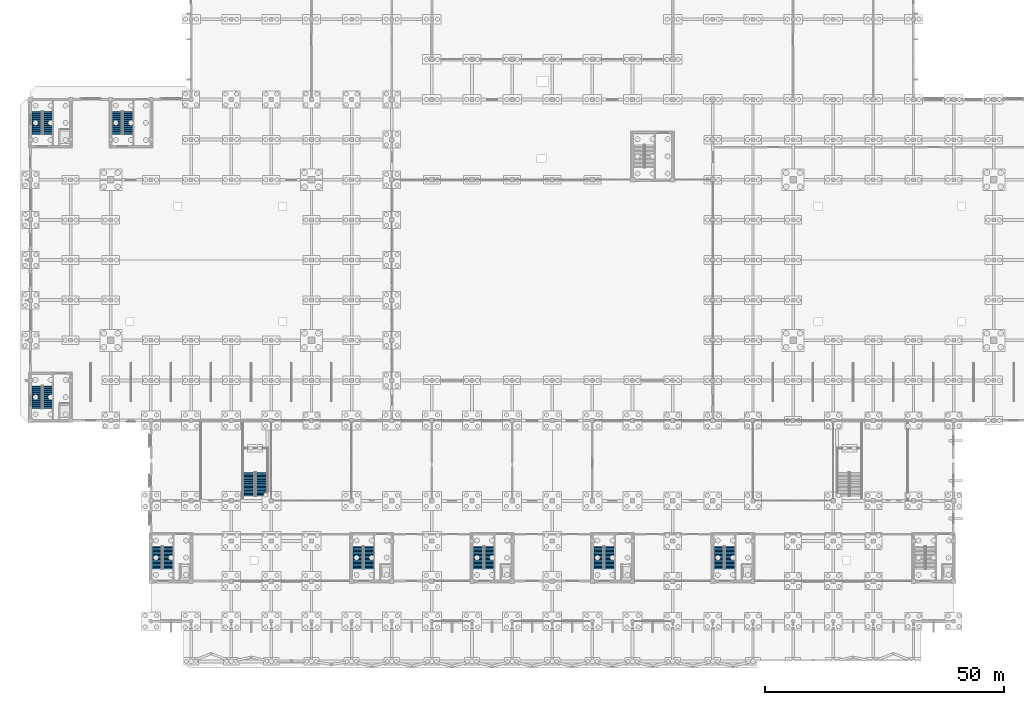
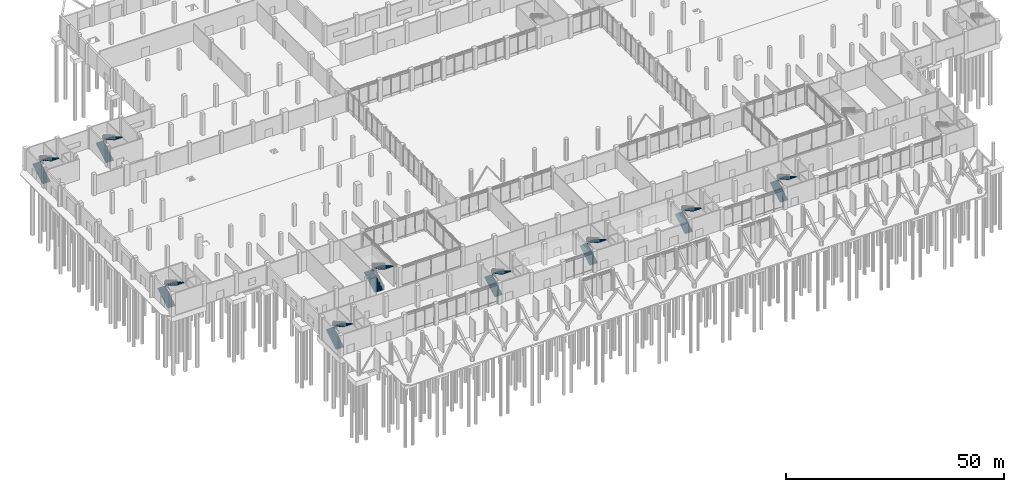
# One storey, part 63 of 72: 18 stair flights, 9 elements without a shape of their own.
"""IFC4 building model written with IfcOpenShell, lengths in metres."""

from ifc_helpers import new_model, si_unit, direction, frame, origin, place, context, subcontext, project, spatial, polyline, outline, extrude, material, type_object, element, aggregate, save


model = new_model("IFC4")

# Units and contexts
model_context = context("Model", 3, precision=1e-05, world=origin(), true_north=direction((0.0, 1.0)))
body_context = subcontext(model_context, "Body", "Model", "MODEL_VIEW")
ifc_project = project(units=[si_unit("LENGTHUNIT", "METRE"), si_unit("AREAUNIT", "SQUARE_METRE"), si_unit("VOLUMEUNIT", "CUBIC_METRE"), si_unit("PLANEANGLEUNIT", "RADIAN"), si_unit("MASSUNIT", "GRAM", prefix="KILO")], contexts=[model_context])

# Site, building, storey
site_placement = place(None, origin())
site = spatial("IfcSite", under=ifc_project, at=site_placement, CompositionType="ELEMENT")
building_placement = place(site_placement, origin())
building = spatial("IfcBuilding", under=site, at=building_placement, Name="Qawsi Khor Wholesale Market", CompositionType="ELEMENT")
storey_placement = place(building_placement, origin())
storey = spatial("IfcBuildingStorey", under=building, at=storey_placement, Name="L00", CompositionType="ELEMENT", Elevation=0.0)

# Stair, stair flights
ifc_material = material(Name="Concrete C40/50", Category="concrete")
stair_type_1 = type_object("IfcStairType", Name="Atrium Feature Stair 6000 Rise", PredefinedType="HALF_TURN_STAIR", material=ifc_material)
stair_1_placement = place(storey_placement, origin())
stair_1 = element("IfcStair", 1, at=stair_1_placement, inside=storey, type_object=stair_type_1, Name="Atrium feature stair W L00", PredefinedType="HALF_TURN_STAIR")
stair_flight_type_1 = type_object("IfcStairFlightType", Name="Atrium Feature Flight 18R x 166.7 / 290G (2300w)", PredefinedType="STRAIGHT", material=ifc_material)
stair_flight_1_placement = place(storey_placement, frame((45.699951171875, 26.199951171875, 0.0), z_axis=(0.0, 0.0, 1.0), x_axis=(0.0, 1.0, 0.0)))
stair_flight_1 = element("IfcStairFlight", 2, at=stair_flight_1_placement, type_object=stair_flight_type_1, Name="ST-AW-0 flight 1", NumberOfRisers=18, NumberOfTreads=17, PredefinedType="STRAIGHT", RiserHeight=0.16667, TreadLength=0.29, context=body_context, shape_type="SweptSolid", body=[
    extrude(outline(polyline([(0.0, 0.0), (0.0, 0.166748046875), (0.2900390625, 0.166748046875), (0.2900390625, 0.333251953125), (0.580078125, 0.333251953125), (0.580078125, 0.5), (0.8701171875, 0.5), (0.8701171875, 0.666748046875), (1.159912109375, 0.666748046875), (1.159912109375, 0.833251953125), (1.449951171875, 0.833251953125), (1.449951171875, 1.0), (1.739990234375, 1.0), (1.739990234375, 1.166748046875), (2.030029296875, 1.166748046875), (2.030029296875, 1.333251953125), (2.320068359375, 1.333251953125), (2.320068359375, 1.5), (2.610107421875, 1.5), (2.610107421875, 1.666748046875), (2.89990234375, 1.666748046875), (2.89990234375, 1.833251953125), (3.18994140625, 1.833251953125), (3.18994140625, 2.0), (3.47998046875, 2.0), (3.47998046875, 2.166748046875), (3.77001953125, 2.166748046875), (3.77001953125, 2.33349609375), (4.06005859375, 2.33349609375), (4.06005859375, 2.5), (4.35009765625, 2.5), (4.35009765625, 2.666748046875), (4.639892578125, 2.666748046875), (4.639892578125, 2.83349609375), (4.929931640625, 2.83349609375), (4.929931640625, 3.0), (4.929931640625, 2.602783203125), (0.4013671875, 0.0), (0.0, 0.0)])), frame((0.0, 1.14990234375, 0.0), z_axis=(0.0, -1.0, 0.0), x_axis=(1.0, 0.0, 0.0)), (0.0, 0.0, 1.0), 2.300048828125),
])
stair_flight_2_placement = place(storey_placement, frame((48.300048828125, 31.1298828125, 3.0), z_axis=(0.0, 0.0, 1.0), x_axis=(0.0, -1.0, 0.0)))
stair_flight_2 = element("IfcStairFlight", 3, at=stair_flight_2_placement, type_object=stair_flight_type_1, Name="ST-AW-0 flight 2", NumberOfRisers=18, NumberOfTreads=17, PredefinedType="STRAIGHT", RiserHeight=0.16667, TreadLength=0.29, context=body_context, shape_type="SweptSolid", body=[
    extrude(outline(polyline([(0.0, 0.0), (0.0, 0.166748046875), (0.2900390625, 0.166748046875), (0.2900390625, 0.333251953125), (0.580078125, 0.333251953125), (0.580078125, 0.5), (0.8701171875, 0.5), (0.8701171875, 0.666748046875), (1.159912109375, 0.666748046875), (1.159912109375, 0.833251953125), (1.449951171875, 0.833251953125), (1.449951171875, 1.0), (1.739990234375, 1.0), (1.739990234375, 1.166748046875), (2.030029296875, 1.166748046875), (2.030029296875, 1.333251953125), (2.320068359375, 1.333251953125), (2.320068359375, 1.5), (2.610107421875, 1.5), (2.610107421875, 1.666748046875), (2.89990234375, 1.666748046875), (2.89990234375, 1.833251953125), (3.18994140625, 1.833251953125), (3.18994140625, 2.0), (3.47998046875, 2.0), (3.47998046875, 2.166748046875), (3.77001953125, 2.166748046875), (3.77001953125, 2.33349609375), (4.06005859375, 2.33349609375), (4.06005859375, 2.5), (4.35009765625, 2.5), (4.35009765625, 2.666748046875), (4.639892578125, 2.666748046875), (4.639892578125, 2.83349609375), (4.929931640625, 2.83349609375), (4.929931640625, 3.0), (4.929931640625, 2.602783203125), (0.4013671875, 0.0), (0.0, 0.0)])), frame((0.0, 1.14990234375, 0.0), z_axis=(0.0, -1.0, 0.0), x_axis=(1.0, 0.0, 0.0)), (0.0, 0.0, 1.0), 2.300048828125),
])
aggregate(stair_1, [stair_flight_1, stair_flight_2])

stair_type_2 = type_object("IfcStairType", Name="Exit Stair L00-L01 6000 Rise", PredefinedType="HALF_TURN_STAIR", material=ifc_material)
stair_2_placement = place(storey_placement, origin())
stair_2 = element("IfcStair", 4, at=stair_2_placement, inside=storey, type_object=stair_type_2, Name="Stair ST-01 L00", PredefinedType="HALF_TURN_STAIR")
stair_flight_type_2 = type_object("IfcStairFlightType", Name="Stair Flight 18R x 166.7 / 280G (2060w)", PredefinedType="STRAIGHT", material=ifc_material)
stair_flight_3_placement = place(storey_placement, frame((26.550048828125, 10.919921875, 0.0), z_axis=(0.0, 0.0, 1.0), x_axis=(0.0, 1.0, 0.0)))
stair_flight_3 = element("IfcStairFlight", 5, at=stair_flight_3_placement, type_object=stair_flight_type_2, Name="ST-01-L00 flight 1", NumberOfRisers=18, NumberOfTreads=17, PredefinedType="STRAIGHT", RiserHeight=0.16667, TreadLength=0.28, context=body_context, shape_type="SweptSolid", body=[
    extrude(outline(polyline([(0.0, 0.0), (0.0, 0.166748046875), (0.280029296875, 0.166748046875), (0.280029296875, 0.333251953125), (0.56005859375, 0.333251953125), (0.56005859375, 0.5), (0.840087890625, 0.5), (0.840087890625, 0.666748046875), (1.1201171875, 0.666748046875), (1.1201171875, 0.833251953125), (1.39990234375, 0.833251953125), (1.39990234375, 1.0), (1.679931640625, 1.0), (1.679931640625, 1.166748046875), (1.9599609375, 1.166748046875), (1.9599609375, 1.333251953125), (2.239990234375, 1.333251953125), (2.239990234375, 1.5), (2.52001953125, 1.5), (2.52001953125, 1.666748046875), (2.800048828125, 1.666748046875), (2.800048828125, 1.833251953125), (3.080078125, 1.833251953125), (3.080078125, 2.0), (3.360107421875, 2.0), (3.360107421875, 2.166748046875), (3.639892578125, 2.166748046875), (3.639892578125, 2.33349609375), (3.919921875, 2.33349609375), (3.919921875, 2.5), (4.199951171875, 2.5), (4.199951171875, 2.666748046875), (4.47998046875, 2.666748046875), (4.47998046875, 2.83349609375), (4.760009765625, 2.83349609375), (4.760009765625, 3.0), (4.760009765625, 2.6240234375), (0.351806640625, 0.0), (0.0, 0.0)])), frame((0.0, 1.030029296875, 0.0), z_axis=(0.0, -1.0, 0.0), x_axis=(1.0, 0.0, 0.0)), (0.0, 0.0, 1.0), 2.06005859375),
])
stair_flight_4_placement = place(storey_placement, frame((28.7900390625, 15.679931640625, 3.0), z_axis=(0.0, 0.0, 1.0), x_axis=(0.0, -1.0, 0.0)))
stair_flight_4 = element("IfcStairFlight", 6, at=stair_flight_4_placement, type_object=stair_flight_type_2, Name="ST-01-L00 flight 2", NumberOfRisers=18, NumberOfTreads=17, PredefinedType="STRAIGHT", RiserHeight=0.16667, TreadLength=0.28, context=body_context, shape_type="SweptSolid", body=[
    extrude(outline(polyline([(0.0, 0.0), (0.0, 0.166748046875), (0.280029296875, 0.166748046875), (0.280029296875, 0.333251953125), (0.56005859375, 0.333251953125), (0.56005859375, 0.5), (0.840087890625, 0.5), (0.840087890625, 0.666748046875), (1.1201171875, 0.666748046875), (1.1201171875, 0.833251953125), (1.39990234375, 0.833251953125), (1.39990234375, 1.0), (1.679931640625, 1.0), (1.679931640625, 1.166748046875), (1.9599609375, 1.166748046875), (1.9599609375, 1.333251953125), (2.239990234375, 1.333251953125), (2.239990234375, 1.5), (2.52001953125, 1.5), (2.52001953125, 1.666748046875), (2.800048828125, 1.666748046875), (2.800048828125, 1.833251953125), (3.080078125, 1.833251953125), (3.080078125, 2.0), (3.360107421875, 2.0), (3.360107421875, 2.166748046875), (3.639892578125, 2.166748046875), (3.639892578125, 2.33349609375), (3.919921875, 2.33349609375), (3.919921875, 2.5), (4.199951171875, 2.5), (4.199951171875, 2.666748046875), (4.47998046875, 2.666748046875), (4.47998046875, 2.83349609375), (4.760009765625, 2.83349609375), (4.760009765625, 3.0), (4.760009765625, 2.6240234375), (0.351806640625, 0.0), (0.0, 0.0)])), frame((0.0, 1.030029296875, 0.0), z_axis=(0.0, -1.0, 0.0), x_axis=(1.0, 0.0, 0.0)), (0.0, 0.0, 1.0), 2.06005859375),
])
aggregate(stair_2, [stair_flight_3, stair_flight_4])

stair_3_placement = place(storey_placement, origin())
stair_3 = element("IfcStair", 7, at=stair_3_placement, inside=storey, type_object=stair_type_2, Name="Stair ST-02 L00", PredefinedType="HALF_TURN_STAIR")
stair_flight_5_placement = place(storey_placement, frame((68.550048828125, 10.919921875, 0.0), z_axis=(0.0, 0.0, 1.0), x_axis=(0.0, 1.0, 0.0)))
stair_flight_5 = element("IfcStairFlight", 8, at=stair_flight_5_placement, type_object=stair_flight_type_2, Name="ST-02-L00 flight 1", NumberOfRisers=18, NumberOfTreads=17, PredefinedType="STRAIGHT", RiserHeight=0.16667, TreadLength=0.28, context=body_context, shape_type="SweptSolid", body=[
    extrude(outline(polyline([(0.0, 0.0), (0.0, 0.166748046875), (0.280029296875, 0.166748046875), (0.280029296875, 0.333251953125), (0.56005859375, 0.333251953125), (0.56005859375, 0.5), (0.840087890625, 0.5), (0.840087890625, 0.666748046875), (1.1201171875, 0.666748046875), (1.1201171875, 0.833251953125), (1.39990234375, 0.833251953125), (1.39990234375, 1.0), (1.679931640625, 1.0), (1.679931640625, 1.166748046875), (1.9599609375, 1.166748046875), (1.9599609375, 1.333251953125), (2.239990234375, 1.333251953125), (2.239990234375, 1.5), (2.52001953125, 1.5), (2.52001953125, 1.666748046875), (2.800048828125, 1.666748046875), (2.800048828125, 1.833251953125), (3.080078125, 1.833251953125), (3.080078125, 2.0), (3.360107421875, 2.0), (3.360107421875, 2.166748046875), (3.639892578125, 2.166748046875), (3.639892578125, 2.33349609375), (3.919921875, 2.33349609375), (3.919921875, 2.5), (4.199951171875, 2.5), (4.199951171875, 2.666748046875), (4.47998046875, 2.666748046875), (4.47998046875, 2.83349609375), (4.760009765625, 2.83349609375), (4.760009765625, 3.0), (4.760009765625, 2.6240234375), (0.351806640625, 0.0), (0.0, 0.0)])), frame((0.0, 1.030029296875, 0.0), z_axis=(0.0, -1.0, 0.0), x_axis=(1.0, 0.0, 0.0)), (0.0, 0.0, 1.0), 2.06005859375),
])
stair_flight_6_placement = place(storey_placement, frame((70.7900390625, 15.679931640625, 3.0), z_axis=(0.0, 0.0, 1.0), x_axis=(0.0, -1.0, 0.0)))
stair_flight_6 = element("IfcStairFlight", 9, at=stair_flight_6_placement, type_object=stair_flight_type_2, Name="ST-02-L00 flight 2", NumberOfRisers=18, NumberOfTreads=17, PredefinedType="STRAIGHT", RiserHeight=0.16667, TreadLength=0.28, context=body_context, shape_type="SweptSolid", body=[
    extrude(outline(polyline([(0.0, 0.0), (0.0, 0.166748046875), (0.280029296875, 0.166748046875), (0.280029296875, 0.333251953125), (0.56005859375, 0.333251953125), (0.56005859375, 0.5), (0.840087890625, 0.5), (0.840087890625, 0.666748046875), (1.1201171875, 0.666748046875), (1.1201171875, 0.833251953125), (1.39990234375, 0.833251953125), (1.39990234375, 1.0), (1.679931640625, 1.0), (1.679931640625, 1.166748046875), (1.9599609375, 1.166748046875), (1.9599609375, 1.333251953125), (2.239990234375, 1.333251953125), (2.239990234375, 1.5), (2.52001953125, 1.5), (2.52001953125, 1.666748046875), (2.800048828125, 1.666748046875), (2.800048828125, 1.833251953125), (3.080078125, 1.833251953125), (3.080078125, 2.0), (3.360107421875, 2.0), (3.360107421875, 2.166748046875), (3.639892578125, 2.166748046875), (3.639892578125, 2.33349609375), (3.919921875, 2.33349609375), (3.919921875, 2.5), (4.199951171875, 2.5), (4.199951171875, 2.666748046875), (4.47998046875, 2.666748046875), (4.47998046875, 2.83349609375), (4.760009765625, 2.83349609375), (4.760009765625, 3.0), (4.760009765625, 2.6240234375), (0.351806640625, 0.0), (0.0, 0.0)])), frame((0.0, 1.030029296875, 0.0), z_axis=(0.0, -1.0, 0.0), x_axis=(1.0, 0.0, 0.0)), (0.0, 0.0, 1.0), 2.06005859375),
])
aggregate(stair_3, [stair_flight_5, stair_flight_6])

stair_4_placement = place(storey_placement, origin())
stair_4 = element("IfcStair", 10, at=stair_4_placement, inside=storey, type_object=stair_type_2, Name="Stair ST-03 L00", PredefinedType="HALF_TURN_STAIR")
stair_flight_7_placement = place(storey_placement, frame((93.75, 10.919921875, 0.0), z_axis=(0.0, 0.0, 1.0), x_axis=(0.0, 1.0, 0.0)))
stair_flight_7 = element("IfcStairFlight", 11, at=stair_flight_7_placement, type_object=stair_flight_type_2, Name="ST-03-L00 flight 1", NumberOfRisers=18, NumberOfTreads=17, PredefinedType="STRAIGHT", RiserHeight=0.16667, TreadLength=0.28, context=body_context, shape_type="SweptSolid", body=[
    extrude(outline(polyline([(0.0, 0.0), (0.0, 0.166748046875), (0.280029296875, 0.166748046875), (0.280029296875, 0.333251953125), (0.56005859375, 0.333251953125), (0.56005859375, 0.5), (0.840087890625, 0.5), (0.840087890625, 0.666748046875), (1.1201171875, 0.666748046875), (1.1201171875, 0.833251953125), (1.39990234375, 0.833251953125), (1.39990234375, 1.0), (1.679931640625, 1.0), (1.679931640625, 1.166748046875), (1.9599609375, 1.166748046875), (1.9599609375, 1.333251953125), (2.239990234375, 1.333251953125), (2.239990234375, 1.5), (2.52001953125, 1.5), (2.52001953125, 1.666748046875), (2.800048828125, 1.666748046875), (2.800048828125, 1.833251953125), (3.080078125, 1.833251953125), (3.080078125, 2.0), (3.360107421875, 2.0), (3.360107421875, 2.166748046875), (3.639892578125, 2.166748046875), (3.639892578125, 2.33349609375), (3.919921875, 2.33349609375), (3.919921875, 2.5), (4.199951171875, 2.5), (4.199951171875, 2.666748046875), (4.47998046875, 2.666748046875), (4.47998046875, 2.83349609375), (4.760009765625, 2.83349609375), (4.760009765625, 3.0), (4.760009765625, 2.6240234375), (0.351806640625, 0.0), (0.0, 0.0)])), frame((0.0, 1.030029296875, 0.0), z_axis=(0.0, -1.0, 0.0), x_axis=(1.0, 0.0, 0.0)), (0.0, 0.0, 1.0), 2.06005859375),
])
stair_flight_8_placement = place(storey_placement, frame((95.989990234375, 15.679931640625, 3.0), z_axis=(0.0, 0.0, 1.0), x_axis=(0.0, -1.0, 0.0)))
stair_flight_8 = element("IfcStairFlight", 12, at=stair_flight_8_placement, type_object=stair_flight_type_2, Name="ST-03-L00 flight 2", NumberOfRisers=18, NumberOfTreads=17, PredefinedType="STRAIGHT", RiserHeight=0.16667, TreadLength=0.28, context=body_context, shape_type="SweptSolid", body=[
    extrude(outline(polyline([(0.0, 0.0), (0.0, 0.166748046875), (0.280029296875, 0.166748046875), (0.280029296875, 0.333251953125), (0.56005859375, 0.333251953125), (0.56005859375, 0.5), (0.840087890625, 0.5), (0.840087890625, 0.666748046875), (1.1201171875, 0.666748046875), (1.1201171875, 0.833251953125), (1.39990234375, 0.833251953125), (1.39990234375, 1.0), (1.679931640625, 1.0), (1.679931640625, 1.166748046875), (1.9599609375, 1.166748046875), (1.9599609375, 1.333251953125), (2.239990234375, 1.333251953125), (2.239990234375, 1.5), (2.52001953125, 1.5), (2.52001953125, 1.666748046875), (2.800048828125, 1.666748046875), (2.800048828125, 1.833251953125), (3.080078125, 1.833251953125), (3.080078125, 2.0), (3.360107421875, 2.0), (3.360107421875, 2.166748046875), (3.639892578125, 2.166748046875), (3.639892578125, 2.33349609375), (3.919921875, 2.33349609375), (3.919921875, 2.5), (4.199951171875, 2.5), (4.199951171875, 2.666748046875), (4.47998046875, 2.666748046875), (4.47998046875, 2.83349609375), (4.760009765625, 2.83349609375), (4.760009765625, 3.0), (4.760009765625, 2.6240234375), (0.351806640625, 0.0), (0.0, 0.0)])), frame((0.0, 1.030029296875, 0.0), z_axis=(0.0, -1.0, 0.0), x_axis=(1.0, 0.0, 0.0)), (0.0, 0.0, 1.0), 2.06005859375),
])
aggregate(stair_4, [stair_flight_7, stair_flight_8])

stair_5_placement = place(storey_placement, origin())
stair_5 = element("IfcStair", 13, at=stair_5_placement, inside=storey, type_object=stair_type_2, Name="Stair ST-04 L00", PredefinedType="HALF_TURN_STAIR")
stair_flight_9_placement = place(storey_placement, frame((118.949951171875, 10.919921875, 0.0), z_axis=(0.0, 0.0, 1.0), x_axis=(0.0, 1.0, 0.0)))
stair_flight_9 = element("IfcStairFlight", 14, at=stair_flight_9_placement, type_object=stair_flight_type_2, Name="ST-04-L00 flight 1", NumberOfRisers=18, NumberOfTreads=17, PredefinedType="STRAIGHT", RiserHeight=0.16667, TreadLength=0.28, context=body_context, shape_type="SweptSolid", body=[
    extrude(outline(polyline([(0.0, 0.0), (0.0, 0.166748046875), (0.280029296875, 0.166748046875), (0.280029296875, 0.333251953125), (0.56005859375, 0.333251953125), (0.56005859375, 0.5), (0.840087890625, 0.5), (0.840087890625, 0.666748046875), (1.1201171875, 0.666748046875), (1.1201171875, 0.833251953125), (1.39990234375, 0.833251953125), (1.39990234375, 1.0), (1.679931640625, 1.0), (1.679931640625, 1.166748046875), (1.9599609375, 1.166748046875), (1.9599609375, 1.333251953125), (2.239990234375, 1.333251953125), (2.239990234375, 1.5), (2.52001953125, 1.5), (2.52001953125, 1.666748046875), (2.800048828125, 1.666748046875), (2.800048828125, 1.833251953125), (3.080078125, 1.833251953125), (3.080078125, 2.0), (3.360107421875, 2.0), (3.360107421875, 2.166748046875), (3.639892578125, 2.166748046875), (3.639892578125, 2.33349609375), (3.919921875, 2.33349609375), (3.919921875, 2.5), (4.199951171875, 2.5), (4.199951171875, 2.666748046875), (4.47998046875, 2.666748046875), (4.47998046875, 2.83349609375), (4.760009765625, 2.83349609375), (4.760009765625, 3.0), (4.760009765625, 2.6240234375), (0.351806640625, 0.0), (0.0, 0.0)])), frame((0.0, 1.030029296875, 0.0), z_axis=(0.0, -1.0, 0.0), x_axis=(1.0, 0.0, 0.0)), (0.0, 0.0, 1.0), 2.06005859375),
])
stair_flight_10_placement = place(storey_placement, frame((121.18994140625, 15.679931640625, 3.0), z_axis=(0.0, 0.0, 1.0), x_axis=(0.0, -1.0, 0.0)))
stair_flight_10 = element("IfcStairFlight", 15, at=stair_flight_10_placement, type_object=stair_flight_type_2, Name="ST-04-L00 flight 2", NumberOfRisers=18, NumberOfTreads=17, PredefinedType="STRAIGHT", RiserHeight=0.16667, TreadLength=0.28, context=body_context, shape_type="SweptSolid", body=[
    extrude(outline(polyline([(0.0, 0.0), (0.0, 0.166748046875), (0.280029296875, 0.166748046875), (0.280029296875, 0.333251953125), (0.56005859375, 0.333251953125), (0.56005859375, 0.5), (0.840087890625, 0.5), (0.840087890625, 0.666748046875), (1.1201171875, 0.666748046875), (1.1201171875, 0.833251953125), (1.39990234375, 0.833251953125), (1.39990234375, 1.0), (1.679931640625, 1.0), (1.679931640625, 1.166748046875), (1.9599609375, 1.166748046875), (1.9599609375, 1.333251953125), (2.239990234375, 1.333251953125), (2.239990234375, 1.5), (2.52001953125, 1.5), (2.52001953125, 1.666748046875), (2.800048828125, 1.666748046875), (2.800048828125, 1.833251953125), (3.080078125, 1.833251953125), (3.080078125, 2.0), (3.360107421875, 2.0), (3.360107421875, 2.166748046875), (3.639892578125, 2.166748046875), (3.639892578125, 2.33349609375), (3.919921875, 2.33349609375), (3.919921875, 2.5), (4.199951171875, 2.5), (4.199951171875, 2.666748046875), (4.47998046875, 2.666748046875), (4.47998046875, 2.83349609375), (4.760009765625, 2.83349609375), (4.760009765625, 3.0), (4.760009765625, 2.6240234375), (0.351806640625, 0.0), (0.0, 0.0)])), frame((0.0, 1.030029296875, 0.0), z_axis=(0.0, -1.0, 0.0), x_axis=(1.0, 0.0, 0.0)), (0.0, 0.0, 1.0), 2.06005859375),
])
aggregate(stair_5, [stair_flight_9, stair_flight_10])

stair_6_placement = place(storey_placement, origin())
stair_6 = element("IfcStair", 16, at=stair_6_placement, inside=storey, type_object=stair_type_2, Name="Stair ST-05 L00", PredefinedType="HALF_TURN_STAIR")
stair_flight_11_placement = place(storey_placement, frame((144.14990234375, 10.919921875, 0.0), z_axis=(0.0, 0.0, 1.0), x_axis=(0.0, 1.0, 0.0)))
stair_flight_11 = element("IfcStairFlight", 17, at=stair_flight_11_placement, type_object=stair_flight_type_2, Name="ST-05-L00 flight 1", NumberOfRisers=18, NumberOfTreads=17, PredefinedType="STRAIGHT", RiserHeight=0.16667, TreadLength=0.28, context=body_context, shape_type="SweptSolid", body=[
    extrude(outline(polyline([(0.0, 0.0), (0.0, 0.166748046875), (0.280029296875, 0.166748046875), (0.280029296875, 0.333251953125), (0.56005859375, 0.333251953125), (0.56005859375, 0.5), (0.840087890625, 0.5), (0.840087890625, 0.666748046875), (1.1201171875, 0.666748046875), (1.1201171875, 0.833251953125), (1.39990234375, 0.833251953125), (1.39990234375, 1.0), (1.679931640625, 1.0), (1.679931640625, 1.166748046875), (1.9599609375, 1.166748046875), (1.9599609375, 1.333251953125), (2.239990234375, 1.333251953125), (2.239990234375, 1.5), (2.52001953125, 1.5), (2.52001953125, 1.666748046875), (2.800048828125, 1.666748046875), (2.800048828125, 1.833251953125), (3.080078125, 1.833251953125), (3.080078125, 2.0), (3.360107421875, 2.0), (3.360107421875, 2.166748046875), (3.639892578125, 2.166748046875), (3.639892578125, 2.33349609375), (3.919921875, 2.33349609375), (3.919921875, 2.5), (4.199951171875, 2.5), (4.199951171875, 2.666748046875), (4.47998046875, 2.666748046875), (4.47998046875, 2.83349609375), (4.760009765625, 2.83349609375), (4.760009765625, 3.0), (4.760009765625, 2.6240234375), (0.351806640625, 0.0), (0.0, 0.0)])), frame((0.0, 1.030029296875, 0.0), z_axis=(0.0, -1.0, 0.0), x_axis=(1.0, 0.0, 0.0)), (0.0, 0.0, 1.0), 2.06005859375),
])
stair_flight_12_placement = place(storey_placement, frame((146.389892578125, 15.679931640625, 3.0), z_axis=(0.0, 0.0, 1.0), x_axis=(0.0, -1.0, 0.0)))
stair_flight_12 = element("IfcStairFlight", 18, at=stair_flight_12_placement, type_object=stair_flight_type_2, Name="ST-05-L00 flight 2", NumberOfRisers=18, NumberOfTreads=17, PredefinedType="STRAIGHT", RiserHeight=0.16667, TreadLength=0.28, context=body_context, shape_type="SweptSolid", body=[
    extrude(outline(polyline([(0.0, 0.0), (0.0, 0.166748046875), (0.280029296875, 0.166748046875), (0.280029296875, 0.333251953125), (0.56005859375, 0.333251953125), (0.56005859375, 0.5), (0.840087890625, 0.5), (0.840087890625, 0.666748046875), (1.1201171875, 0.666748046875), (1.1201171875, 0.833251953125), (1.39990234375, 0.833251953125), (1.39990234375, 1.0), (1.679931640625, 1.0), (1.679931640625, 1.166748046875), (1.9599609375, 1.166748046875), (1.9599609375, 1.333251953125), (2.239990234375, 1.333251953125), (2.239990234375, 1.5), (2.52001953125, 1.5), (2.52001953125, 1.666748046875), (2.800048828125, 1.666748046875), (2.800048828125, 1.833251953125), (3.080078125, 1.833251953125), (3.080078125, 2.0), (3.360107421875, 2.0), (3.360107421875, 2.166748046875), (3.639892578125, 2.166748046875), (3.639892578125, 2.33349609375), (3.919921875, 2.33349609375), (3.919921875, 2.5), (4.199951171875, 2.5), (4.199951171875, 2.666748046875), (4.47998046875, 2.666748046875), (4.47998046875, 2.83349609375), (4.760009765625, 2.83349609375), (4.760009765625, 3.0), (4.760009765625, 2.6240234375), (0.351806640625, 0.0), (0.0, 0.0)])), frame((0.0, 1.030029296875, 0.0), z_axis=(0.0, -1.0, 0.0), x_axis=(1.0, 0.0, 0.0)), (0.0, 0.0, 1.0), 2.06005859375),
])
aggregate(stair_6, [stair_flight_11, stair_flight_12])

stair_7_placement = place(storey_placement, origin())
stair_7 = element("IfcStair", 19, at=stair_7_placement, inside=storey, type_object=stair_type_2, Name="Stair ST-07 L00", PredefinedType="HALF_TURN_STAIR")
stair_flight_13_placement = place(storey_placement, frame((1.35009765625, 44.52001953125, 0.0), z_axis=(0.0, 0.0, 1.0), x_axis=(0.0, 1.0, 0.0)))
stair_flight_13 = element("IfcStairFlight", 20, at=stair_flight_13_placement, type_object=stair_flight_type_2, Name="ST-07-L00 flight 1", NumberOfRisers=18, NumberOfTreads=17, PredefinedType="STRAIGHT", RiserHeight=0.16667, TreadLength=0.28, context=body_context, shape_type="SweptSolid", body=[
    extrude(outline(polyline([(0.0, 0.0), (0.0, 0.166748046875), (0.280029296875, 0.166748046875), (0.280029296875, 0.333251953125), (0.56005859375, 0.333251953125), (0.56005859375, 0.5), (0.840087890625, 0.5), (0.840087890625, 0.666748046875), (1.1201171875, 0.666748046875), (1.1201171875, 0.833251953125), (1.39990234375, 0.833251953125), (1.39990234375, 1.0), (1.679931640625, 1.0), (1.679931640625, 1.166748046875), (1.9599609375, 1.166748046875), (1.9599609375, 1.333251953125), (2.239990234375, 1.333251953125), (2.239990234375, 1.5), (2.52001953125, 1.5), (2.52001953125, 1.666748046875), (2.800048828125, 1.666748046875), (2.800048828125, 1.833251953125), (3.080078125, 1.833251953125), (3.080078125, 2.0), (3.360107421875, 2.0), (3.360107421875, 2.166748046875), (3.639892578125, 2.166748046875), (3.639892578125, 2.33349609375), (3.919921875, 2.33349609375), (3.919921875, 2.5), (4.199951171875, 2.5), (4.199951171875, 2.666748046875), (4.47998046875, 2.666748046875), (4.47998046875, 2.83349609375), (4.760009765625, 2.83349609375), (4.760009765625, 3.0), (4.760009765625, 2.6240234375), (0.351806640625, 0.0), (0.0, 0.0)])), frame((0.0, 1.030029296875, 0.0), z_axis=(0.0, -1.0, 0.0), x_axis=(1.0, 0.0, 0.0)), (0.0, 0.0, 1.0), 2.06005859375),
])
stair_flight_14_placement = place(storey_placement, frame((3.590087890625, 49.280029296875, 3.0), z_axis=(0.0, 0.0, 1.0), x_axis=(0.0, -1.0, 0.0)))
stair_flight_14 = element("IfcStairFlight", 21, at=stair_flight_14_placement, type_object=stair_flight_type_2, Name="ST-07-L00 flight 2", NumberOfRisers=18, NumberOfTreads=17, PredefinedType="STRAIGHT", RiserHeight=0.16667, TreadLength=0.28, context=body_context, shape_type="SweptSolid", body=[
    extrude(outline(polyline([(0.0, 0.0), (0.0, 0.166748046875), (0.280029296875, 0.166748046875), (0.280029296875, 0.333251953125), (0.56005859375, 0.333251953125), (0.56005859375, 0.5), (0.840087890625, 0.5), (0.840087890625, 0.666748046875), (1.1201171875, 0.666748046875), (1.1201171875, 0.833251953125), (1.39990234375, 0.833251953125), (1.39990234375, 1.0), (1.679931640625, 1.0), (1.679931640625, 1.166748046875), (1.9599609375, 1.166748046875), (1.9599609375, 1.333251953125), (2.239990234375, 1.333251953125), (2.239990234375, 1.5), (2.52001953125, 1.5), (2.52001953125, 1.666748046875), (2.800048828125, 1.666748046875), (2.800048828125, 1.833251953125), (3.080078125, 1.833251953125), (3.080078125, 2.0), (3.360107421875, 2.0), (3.360107421875, 2.166748046875), (3.639892578125, 2.166748046875), (3.639892578125, 2.33349609375), (3.919921875, 2.33349609375), (3.919921875, 2.5), (4.199951171875, 2.5), (4.199951171875, 2.666748046875), (4.47998046875, 2.666748046875), (4.47998046875, 2.83349609375), (4.760009765625, 2.83349609375), (4.760009765625, 3.0), (4.760009765625, 2.6240234375), (0.351806640625, 0.0), (0.0, 0.0)])), frame((0.0, 1.030029296875, 0.0), z_axis=(0.0, -1.0, 0.0), x_axis=(1.0, 0.0, 0.0)), (0.0, 0.0, 1.0), 2.06005859375),
])
aggregate(stair_7, [stair_flight_13, stair_flight_14])

stair_8_placement = place(storey_placement, origin())
stair_8 = element("IfcStair", 22, at=stair_8_placement, inside=storey, type_object=stair_type_2, Name="Stair ST-08 L00", PredefinedType="HALF_TURN_STAIR")
stair_flight_15_placement = place(storey_placement, frame((1.35009765625, 101.919921875, 0.0), z_axis=(0.0, 0.0, 1.0), x_axis=(0.0, 1.0, 0.0)))
stair_flight_15 = element("IfcStairFlight", 23, at=stair_flight_15_placement, type_object=stair_flight_type_2, Name="ST-08-L00 flight 1", NumberOfRisers=18, NumberOfTreads=17, PredefinedType="STRAIGHT", RiserHeight=0.16667, TreadLength=0.28, context=body_context, shape_type="SweptSolid", body=[
    extrude(outline(polyline([(0.0, 0.0), (0.0, 0.166748046875), (0.280029296875, 0.166748046875), (0.280029296875, 0.333251953125), (0.56005859375, 0.333251953125), (0.56005859375, 0.5), (0.840087890625, 0.5), (0.840087890625, 0.666748046875), (1.1201171875, 0.666748046875), (1.1201171875, 0.833251953125), (1.39990234375, 0.833251953125), (1.39990234375, 1.0), (1.679931640625, 1.0), (1.679931640625, 1.166748046875), (1.9599609375, 1.166748046875), (1.9599609375, 1.333251953125), (2.239990234375, 1.333251953125), (2.239990234375, 1.5), (2.52001953125, 1.5), (2.52001953125, 1.666748046875), (2.800048828125, 1.666748046875), (2.800048828125, 1.833251953125), (3.080078125, 1.833251953125), (3.080078125, 2.0), (3.360107421875, 2.0), (3.360107421875, 2.166748046875), (3.639892578125, 2.166748046875), (3.639892578125, 2.33349609375), (3.919921875, 2.33349609375), (3.919921875, 2.5), (4.199951171875, 2.5), (4.199951171875, 2.666748046875), (4.47998046875, 2.666748046875), (4.47998046875, 2.83349609375), (4.760009765625, 2.83349609375), (4.760009765625, 3.0), (4.760009765625, 2.6240234375), (0.351806640625, 0.0), (0.0, 0.0)])), frame((0.0, 1.030029296875, 0.0), z_axis=(0.0, -1.0, 0.0), x_axis=(1.0, 0.0, 0.0)), (0.0, 0.0, 1.0), 2.06005859375),
])
stair_flight_16_placement = place(storey_placement, frame((3.590087890625, 106.679931640625, 3.0), z_axis=(0.0, 0.0, 1.0), x_axis=(0.0, -1.0, 0.0)))
stair_flight_16 = element("IfcStairFlight", 24, at=stair_flight_16_placement, type_object=stair_flight_type_2, Name="ST-08-L00 flight 2", NumberOfRisers=18, NumberOfTreads=17, PredefinedType="STRAIGHT", RiserHeight=0.16667, TreadLength=0.28, context=body_context, shape_type="SweptSolid", body=[
    extrude(outline(polyline([(0.0, 0.0), (0.0, 0.166748046875), (0.280029296875, 0.166748046875), (0.280029296875, 0.333251953125), (0.56005859375, 0.333251953125), (0.56005859375, 0.5), (0.840087890625, 0.5), (0.840087890625, 0.666748046875), (1.1201171875, 0.666748046875), (1.1201171875, 0.833251953125), (1.39990234375, 0.833251953125), (1.39990234375, 1.0), (1.679931640625, 1.0), (1.679931640625, 1.166748046875), (1.9599609375, 1.166748046875), (1.9599609375, 1.333251953125), (2.239990234375, 1.333251953125), (2.239990234375, 1.5), (2.52001953125, 1.5), (2.52001953125, 1.666748046875), (2.800048828125, 1.666748046875), (2.800048828125, 1.833251953125), (3.080078125, 1.833251953125), (3.080078125, 2.0), (3.360107421875, 2.0), (3.360107421875, 2.166748046875), (3.639892578125, 2.166748046875), (3.639892578125, 2.33349609375), (3.919921875, 2.33349609375), (3.919921875, 2.5), (4.199951171875, 2.5), (4.199951171875, 2.666748046875), (4.47998046875, 2.666748046875), (4.47998046875, 2.83349609375), (4.760009765625, 2.83349609375), (4.760009765625, 3.0), (4.760009765625, 2.6240234375), (0.351806640625, 0.0), (0.0, 0.0)])), frame((0.0, 1.030029296875, 0.0), z_axis=(0.0, -1.0, 0.0), x_axis=(1.0, 0.0, 0.0)), (0.0, 0.0, 1.0), 2.06005859375),
])
aggregate(stair_8, [stair_flight_15, stair_flight_16])

stair_9_placement = place(storey_placement, origin())
stair_9 = element("IfcStair", 25, at=stair_9_placement, inside=storey, type_object=stair_type_2, Name="Stair ST-09 L00", PredefinedType="HALF_TURN_STAIR")
stair_flight_17_placement = place(storey_placement, frame((18.14990234375, 101.919921875, 0.0), z_axis=(0.0, 0.0, 1.0), x_axis=(0.0, 1.0, 0.0)))
stair_flight_17 = element("IfcStairFlight", 26, at=stair_flight_17_placement, type_object=stair_flight_type_2, Name="ST-09-L00 flight 1", NumberOfRisers=18, NumberOfTreads=17, PredefinedType="STRAIGHT", RiserHeight=0.16667, TreadLength=0.28, context=body_context, shape_type="SweptSolid", body=[
    extrude(outline(polyline([(0.0, 0.0), (0.0, 0.166748046875), (0.280029296875, 0.166748046875), (0.280029296875, 0.333251953125), (0.56005859375, 0.333251953125), (0.56005859375, 0.5), (0.840087890625, 0.5), (0.840087890625, 0.666748046875), (1.1201171875, 0.666748046875), (1.1201171875, 0.833251953125), (1.39990234375, 0.833251953125), (1.39990234375, 1.0), (1.679931640625, 1.0), (1.679931640625, 1.166748046875), (1.9599609375, 1.166748046875), (1.9599609375, 1.333251953125), (2.239990234375, 1.333251953125), (2.239990234375, 1.5), (2.52001953125, 1.5), (2.52001953125, 1.666748046875), (2.800048828125, 1.666748046875), (2.800048828125, 1.833251953125), (3.080078125, 1.833251953125), (3.080078125, 2.0), (3.360107421875, 2.0), (3.360107421875, 2.166748046875), (3.639892578125, 2.166748046875), (3.639892578125, 2.33349609375), (3.919921875, 2.33349609375), (3.919921875, 2.5), (4.199951171875, 2.5), (4.199951171875, 2.666748046875), (4.47998046875, 2.666748046875), (4.47998046875, 2.83349609375), (4.760009765625, 2.83349609375), (4.760009765625, 3.0), (4.760009765625, 2.6240234375), (0.351806640625, 0.0), (0.0, 0.0)])), frame((0.0, 1.030029296875, 0.0), z_axis=(0.0, -1.0, 0.0), x_axis=(1.0, 0.0, 0.0)), (0.0, 0.0, 1.0), 2.06005859375),
])
stair_flight_18_placement = place(storey_placement, frame((20.389892578125, 106.679931640625, 3.0), z_axis=(0.0, 0.0, 1.0), x_axis=(0.0, -1.0, 0.0)))
stair_flight_18 = element("IfcStairFlight", 27, at=stair_flight_18_placement, type_object=stair_flight_type_2, Name="ST-09-L00 flight 2", NumberOfRisers=18, NumberOfTreads=17, PredefinedType="STRAIGHT", RiserHeight=0.16667, TreadLength=0.28, context=body_context, shape_type="SweptSolid", body=[
    extrude(outline(polyline([(0.0, 0.0), (0.0, 0.166748046875), (0.280029296875, 0.166748046875), (0.280029296875, 0.333251953125), (0.56005859375, 0.333251953125), (0.56005859375, 0.5), (0.840087890625, 0.5), (0.840087890625, 0.666748046875), (1.1201171875, 0.666748046875), (1.1201171875, 0.833251953125), (1.39990234375, 0.833251953125), (1.39990234375, 1.0), (1.679931640625, 1.0), (1.679931640625, 1.166748046875), (1.9599609375, 1.166748046875), (1.9599609375, 1.333251953125), (2.239990234375, 1.333251953125), (2.239990234375, 1.5), (2.52001953125, 1.5), (2.52001953125, 1.666748046875), (2.800048828125, 1.666748046875), (2.800048828125, 1.833251953125), (3.080078125, 1.833251953125), (3.080078125, 2.0), (3.360107421875, 2.0), (3.360107421875, 2.166748046875), (3.639892578125, 2.166748046875), (3.639892578125, 2.33349609375), (3.919921875, 2.33349609375), (3.919921875, 2.5), (4.199951171875, 2.5), (4.199951171875, 2.666748046875), (4.47998046875, 2.666748046875), (4.47998046875, 2.83349609375), (4.760009765625, 2.83349609375), (4.760009765625, 3.0), (4.760009765625, 2.6240234375), (0.351806640625, 0.0), (0.0, 0.0)])), frame((0.0, 1.030029296875, 0.0), z_axis=(0.0, -1.0, 0.0), x_axis=(1.0, 0.0, 0.0)), (0.0, 0.0, 1.0), 2.06005859375),
])
aggregate(stair_9, [stair_flight_17, stair_flight_18])

save(model, "model.ifc")
